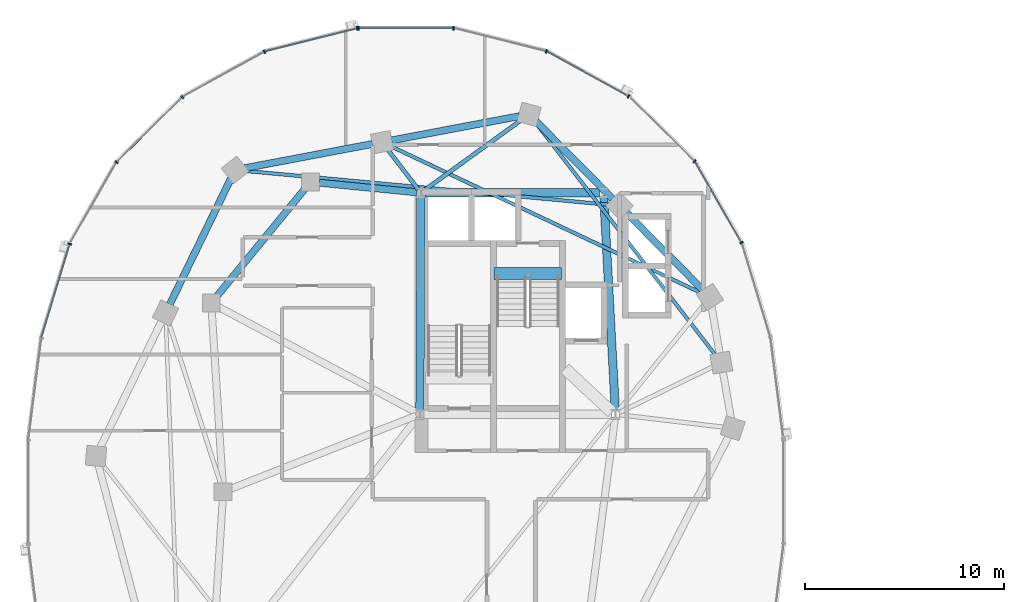
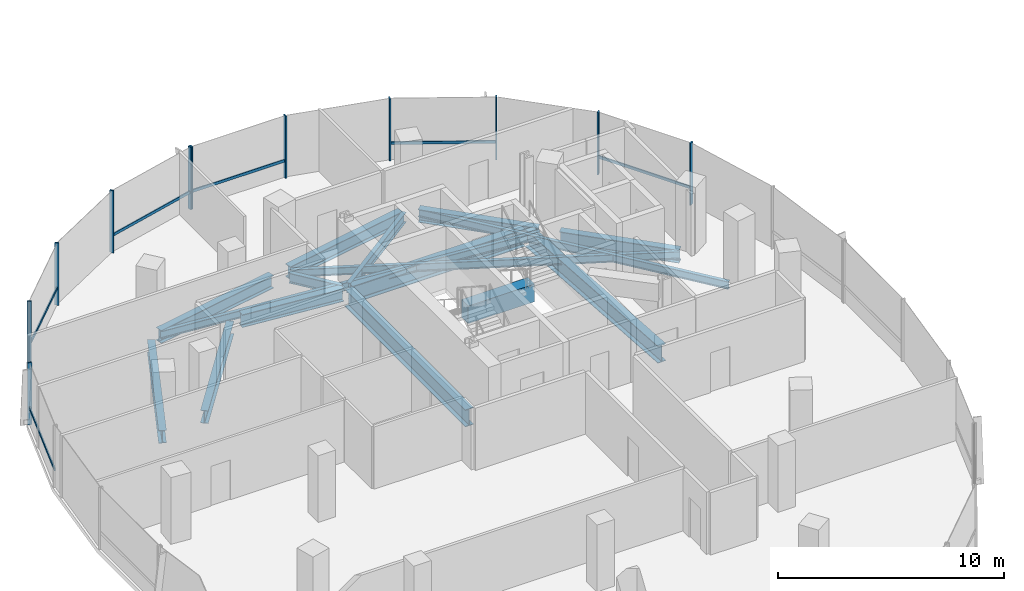
# One storey, part 5 of 22: 17 members, 16 beams, 2 elements without a shape of their own.
"""IFC4 building model written with IfcOpenShell, lengths in metres."""

from ifc_helpers import new_model, si_unit, direction, frame, origin, origin_2d, place, context, subcontext, project, spatial, rectangle, i_section, extrude, material, material_profile, profile_set, type_object, element, aggregate, save


model = new_model("IFC4")

# Units and contexts
model_context = context("Model", 3, precision=1e-05, world=origin(), true_north=direction((0.0, 1.0)))
body_context = subcontext(model_context, "Body", "Model", "MODEL_VIEW")
ifc_project = project(units=[si_unit("LENGTHUNIT", "METRE"), si_unit("AREAUNIT", "SQUARE_METRE"), si_unit("VOLUMEUNIT", "CUBIC_METRE"), si_unit("PLANEANGLEUNIT", "RADIAN"), si_unit("MASSUNIT", "GRAM", prefix="KILO"), si_unit("THERMODYNAMICTEMPERATUREUNIT", "KELVIN"), si_unit("POWERUNIT", "WATT")], contexts=[model_context])

# Site, building, storey
site_placement = place(None, origin())
site = spatial("IfcSite", under=ifc_project, at=site_placement, CompositionType="ELEMENT")
building_placement = place(site_placement, origin())
building = spatial("IfcBuilding", under=site, at=building_placement, Name="Cundina Bronze Exchange", CompositionType="ELEMENT")
storey_placement = place(building_placement, frame((0.0, 0.0, 154.800048828125)))
storey = spatial("IfcBuildingStorey", under=building, at=storey_placement, Name="L40", CompositionType="ELEMENT", Elevation=154.800048828125)

# Beams
ifc_material_1 = material(Name="Concrete C60/75", Category="concrete")
ifc_material_profile_1 = material_profile(ifc_material_1, rectangle(XDim=0.60009765625, YDim=0.949951171875, at=origin_2d()), Name="RC600X950", Category="concrete")
ifc_profile_set_1 = profile_set([ifc_material_profile_1], Name="Concrete C60/75")
beam_type_1 = type_object("IfcBeamType", Name="BM-COUP-RC950", PredefinedType="LINTEL", material=ifc_profile_set_1)
beam_1_placement = place(storey_placement, frame((-27.56005859375, 10.97998046875, -0.47509765625), z_axis=(1.0, 0.0, 0.0), x_axis=(0.0, 1.0, 0.0)))
element("IfcBeam", 1, at=beam_1_placement, inside=storey, type_object=beam_type_1, Name="L40 Stair W2 Landing Header Beam", PredefinedType="LINTEL", context=body_context, shape_type="SweptSolid", body=[
    extrude(rectangle(XDim=0.60009765625, YDim=0.949951171875, at=origin_2d()), origin(), (0.0, 0.0, 1.0), 3.400146484375),
])
ifc_material_2 = material(Name="Steel ASTM A992 Grade 50", Category="steel")
ifc_material_profile_2 = material_profile(ifc_material_2, i_section(OverallWidth=0.2119140625, OverallDepth=0.5439453125, WebThickness=0.01318359375, FlangeThickness=0.021240234375, FilletRadius=0.013916015625, at=origin_2d()), Name="W21X83", Category="steel")
ifc_profile_set_2 = profile_set([ifc_material_profile_2], Name="Steel ASTM A992 Grade 50")
beam_type_2 = type_object("IfcBeamType", Name="BM-FLR-W21A", PredefinedType="BEAM", material=ifc_profile_set_2)
beam_2_placement = place(storey_placement, frame((-31.084716796875, 15.169677734375, -0.511962890625), z_axis=(0.809693047063, 0.586853618492, 0.0), x_axis=(-0.586853618492, 0.809693047063, 0.0)))
element("IfcBeam", 2, at=beam_2_placement, inside=storey, type_object=beam_type_2, Name="L40 Leg W Radial Floor Beam 04", PredefinedType="BEAM", context=body_context, shape_type="SweptSolid", body=[
    extrude(i_section(OverallWidth=0.2119140625, OverallDepth=0.5439453125, WebThickness=0.01318359375, FlangeThickness=0.021240234375, FilletRadius=0.013916015625, at=origin_2d()), origin(), (0.0, 0.0, 1.0), 6.038818359375),
])
beam_3_placement = place(storey_placement, frame((-31.373779296875, 15.2119140625, -0.511962890625), z_axis=(-0.607450107571, 0.794357832977, 0.0), x_axis=(-0.794357832977, -0.607450107571, 0.0)))
element("IfcBeam", 3, at=beam_3_placement, inside=storey, type_object=beam_type_2, Name="L40 Leg W Radial Floor Beam 05", PredefinedType="BEAM", context=body_context, shape_type="SweptSolid", body=[
    extrude(i_section(OverallWidth=0.2119140625, OverallDepth=0.5439453125, WebThickness=0.01318359375, FlangeThickness=0.021240234375, FilletRadius=0.013916015625, at=origin_2d()), origin(), (0.0, 0.0, 1.0), 2.518310546875),
])
ifc_material_profile_3 = material_profile(ifc_material_2, i_section(OverallWidth=0.178955078125, OverallDepth=0.409912109375, WebThickness=0.0087890625, FlangeThickness=0.014404296875, FilletRadius=0.010986328125, at=origin_2d()), Name="W16X45", Category="steel")
ifc_profile_set_3 = profile_set([ifc_material_profile_3], Name="Steel ASTM A992 Grade 50")
beam_type_3 = type_object("IfcBeamType", Name="BM-JST-W16", PredefinedType="JOIST", material=ifc_profile_set_3)
beam_4_placement = place(storey_placement, frame((-16.423583984375, 6.885986328125, -0.445068359375), z_axis=(-0.61208354334, 0.790793105668, 0.0), x_axis=(-0.790793105668, -0.61208354334, 0.0)))
element("IfcBeam", 4, at=beam_4_placement, inside=storey, type_object=beam_type_3, Name="L40 Leg W Lobe Floor Joist 01-04", PredefinedType="JOIST", context=body_context, shape_type="SweptSolid", body=[
    extrude(i_section(OverallWidth=0.178955078125, OverallDepth=0.409912109375, WebThickness=0.0087890625, FlangeThickness=0.014404296875, FilletRadius=0.010986328125, at=origin_2d()), origin(), (0.0, 0.0, 1.0), 14.830810546875),
])
beam_5_placement = place(storey_placement, frame((-17.14111328125, 10.008544921875, -0.445068359375), z_axis=(-0.904074252188, 0.427375416385, 0.0), x_axis=(-0.427375416385, -0.904074252188, 0.0)))
element("IfcBeam", 5, at=beam_5_placement, inside=storey, type_object=beam_type_3, Name="L40 Leg W Lobe Floor Joist 02-05", PredefinedType="JOIST", context=body_context, shape_type="SweptSolid", body=[
    extrude(i_section(OverallWidth=0.178955078125, OverallDepth=0.409912109375, WebThickness=0.0087890625, FlangeThickness=0.014404296875, FilletRadius=0.010986328125, at=origin_2d()), origin(), (0.0, 0.0, 1.0), 17.274658203125),
])
beam_6_placement = place(storey_placement, frame((-21.73583984375, 14.4453125, -0.445068359375), z_axis=(-0.995701840093, 0.092616659595, 0.0), x_axis=(-0.092616659595, -0.995701840093, 0.0)))
element("IfcBeam", 6, at=beam_6_placement, inside=storey, type_object=beam_type_3, Name="L40 Leg W Lobe Floor Joist 03-06", PredefinedType="JOIST", context=body_context, shape_type="SweptSolid", body=[
    extrude(i_section(OverallWidth=0.178955078125, OverallDepth=0.409912109375, WebThickness=0.0087890625, FlangeThickness=0.014404296875, FilletRadius=0.010986328125, at=origin_2d()), origin(), (0.0, 0.0, 1.0), 18.45751953125),
])
ifc_material_profile_4 = material_profile(ifc_material_2, i_section(OverallWidth=0.35498046875, OverallDepth=0.695068359375, WebThickness=0.015380859375, FlangeThickness=0.02490234375, FilletRadius=0.01806640625, at=origin_2d()), Name="W27X146", Category="steel")
ifc_profile_set_4 = profile_set([ifc_material_profile_4], Name="Steel ASTM A992 Grade 50")
beam_type_4 = type_object("IfcBeamType", Name="BM-RING-W27", PredefinedType="USERDEFINED", material=ifc_profile_set_4)
beam_7_placement = place(storey_placement, frame((-31.452880859375, 15.070068359375, -0.587646484375), z_axis=(-0.995123020608, 0.098641643622, 0.0), x_axis=(-0.098641643622, -0.995123020608, 0.0)))
element("IfcBeam", 7, at=beam_7_placement, inside=storey, type_object=beam_type_4, Name="L40 W Inner Structural Ring Girder 01", ObjectType="GIRDER", PredefinedType="USERDEFINED", context=body_context, shape_type="SweptSolid", body=[
    extrude(i_section(OverallWidth=0.35498046875, OverallDepth=0.695068359375, WebThickness=0.015380859375, FlangeThickness=0.02490234375, FilletRadius=0.01806640625, at=origin_2d()), origin(), (0.0, 0.0, 1.0), 4.935302734375),
])
beam_8_placement = place(storey_placement, frame((-37.07763671875, 15.26123046875, -0.587646484375), z_axis=(-0.633912590175, -0.77340469873, 0.0), x_axis=(0.77340469873, -0.633912590175, 0.0)))
element("IfcBeam", 8, at=beam_8_placement, inside=storey, type_object=beam_type_4, Name="L40 W Inner Structural Ring Girder 02", ObjectType="GIRDER", PredefinedType="USERDEFINED", context=body_context, shape_type="SweptSolid", body=[
    extrude(i_section(OverallWidth=0.35498046875, OverallDepth=0.695068359375, WebThickness=0.015380859375, FlangeThickness=0.02490234375, FilletRadius=0.01806640625, at=origin_2d()), origin(), (0.0, 0.0, 1.0), 7.01123046875),
])
beam_9_placement = place(storey_placement, frame((-17.043212890625, 10.14697265625, -0.587646484375), z_axis=(-0.703230112979, 0.710962311378, 0.0), x_axis=(-0.710962311378, -0.703230112979, 0.0)))
element("IfcBeam", 9, at=beam_9_placement, inside=storey, type_object=beam_type_4, Name="L40 W Perimeter Ring Girder 02", ObjectType="GIRDER", PredefinedType="USERDEFINED", context=body_context, shape_type="SweptSolid", body=[
    extrude(i_section(OverallWidth=0.35498046875, OverallDepth=0.695068359375, WebThickness=0.015380859375, FlangeThickness=0.02490234375, FilletRadius=0.01806640625, at=origin_2d()), origin(), (0.0, 0.0, 1.0), 5.493896484375),
])
beam_10_placement = place(storey_placement, frame((-21.59326171875, 14.746826171875, -0.587646484375), z_axis=(-0.703207895705, 0.710984286337, 0.0), x_axis=(-0.710984286337, -0.703207895705, 0.0)))
element("IfcBeam", 10, at=beam_10_placement, inside=storey, type_object=beam_type_4, Name="L40 W Perimeter Ring Girder 03", ObjectType="GIRDER", PredefinedType="USERDEFINED", context=body_context, shape_type="SweptSolid", body=[
    extrude(i_section(OverallWidth=0.35498046875, OverallDepth=0.695068359375, WebThickness=0.015380859375, FlangeThickness=0.02490234375, FilletRadius=0.01806640625, at=origin_2d()), origin(), (0.0, 0.0, 1.0), 5.494140625),
])
beam_11_placement = place(storey_placement, frame((-26.279541015625, 18.9091796875, -0.587646484375), z_axis=(-0.982571532667, -0.185884865421, 0.0), x_axis=(0.185884865421, -0.982571532667, 0.0)))
element("IfcBeam", 11, at=beam_11_placement, inside=storey, type_object=beam_type_4, Name="L40 W Perimeter Ring Girder 04", ObjectType="GIRDER", PredefinedType="USERDEFINED", context=body_context, shape_type="SweptSolid", body=[
    extrude(i_section(OverallWidth=0.35498046875, OverallDepth=0.695068359375, WebThickness=0.015380859375, FlangeThickness=0.02490234375, FilletRadius=0.01806640625, at=origin_2d()), origin(), (0.0, 0.0, 1.0), 6.55517578125),
])
beam_12_placement = place(storey_placement, frame((-33.679443359375, 17.50927734375, -0.587646484375), z_axis=(-0.982572819495, -0.185878063226, 0.0), x_axis=(0.185878063226, -0.982572819495, 0.0)))
element("IfcBeam", 12, at=beam_12_placement, inside=storey, type_object=beam_type_4, Name="L40 W Perimeter Ring Girder 05", ObjectType="GIRDER", PredefinedType="USERDEFINED", context=body_context, shape_type="SweptSolid", body=[
    extrude(i_section(OverallWidth=0.35498046875, OverallDepth=0.695068359375, WebThickness=0.015380859375, FlangeThickness=0.02490234375, FilletRadius=0.01806640625, at=origin_2d()), origin(), (0.0, 0.0, 1.0), 6.555419921875),
])
beam_13_placement = place(storey_placement, frame((-40.8134765625, 15.760986328125, -0.587646484375), z_axis=(-0.437196998825, -0.89936576776, 0.0), x_axis=(0.89936576776, -0.437196998825, 0.0)))
element("IfcBeam", 13, at=beam_13_placement, inside=storey, type_object=beam_type_4, Name="L40 W Perimeter Ring Girder 06", ObjectType="GIRDER", PredefinedType="USERDEFINED", context=body_context, shape_type="SweptSolid", body=[
    extrude(i_section(OverallWidth=0.35498046875, OverallDepth=0.695068359375, WebThickness=0.015380859375, FlangeThickness=0.02490234375, FilletRadius=0.01806640625, at=origin_2d()), origin(), (0.0, 0.0, 1.0), 7.029541015625),
])
ifc_material_profile_5 = material_profile(ifc_material_2, i_section(OverallWidth=0.41796875, OverallDepth=0.927001953125, WebThickness=0.019287109375, FlangeThickness=0.031982421875, FilletRadius=0.02392578125, at=origin_2d()), Name="W36X231", Category="steel")
ifc_profile_set_5 = profile_set([ifc_material_profile_5], Name="Steel ASTM A992 Grade 50")
beam_type_5 = type_object("IfcBeamType", Name="BM-WRN-W36B", PredefinedType="USERDEFINED", material=ifc_profile_set_5)
beam_14_placement = place(storey_placement, frame((-21.4609375, 4.103759765625, -0.70361328125), z_axis=(-0.053739193498, 0.998555005537, 0.0), x_axis=(-0.998555005537, -0.053739193498, 0.0)))
element("IfcBeam", 14, at=beam_14_placement, inside=storey, type_object=beam_type_5, Name="L40 W Core Perimeter Tie Girder 2", ObjectType="GIRDER", PredefinedType="USERDEFINED", context=body_context, shape_type="SweptSolid", body=[
    extrude(i_section(OverallWidth=0.41796875, OverallDepth=0.927001953125, WebThickness=0.019287109375, FlangeThickness=0.031982421875, FilletRadius=0.02392578125, at=origin_2d()), origin(), (0.0, 0.0, 1.0), 10.758056640625),
])
beam_15_placement = place(storey_placement, frame((-22.25390625, 15.050048828125, -0.70361328125), z_axis=(-1.0, 0.0, 0.0), x_axis=(0.0, -1.0, 0.0)))
element("IfcBeam", 15, at=beam_15_placement, inside=storey, type_object=beam_type_5, Name="L40 W Core Perimeter Tie Girder 3", ObjectType="GIRDER", PredefinedType="USERDEFINED", context=body_context, shape_type="SweptSolid", body=[
    extrude(i_section(OverallWidth=0.41796875, OverallDepth=0.927001953125, WebThickness=0.019287109375, FlangeThickness=0.031982421875, FilletRadius=0.02392578125, at=origin_2d()), origin(), (0.0, 0.0, 1.0), 8.7919921875),
])
beam_16_placement = place(storey_placement, frame((-31.2509765625, 14.845947265625, -0.70361328125), z_axis=(-0.004477329608, -0.99998997671, 0.0), x_axis=(0.99998997671, -0.004477329608, 0.0)))
element("IfcBeam", 16, at=beam_16_placement, inside=storey, type_object=beam_type_5, Name="L40 W Core Perimeter Tie Girder 4", ObjectType="GIRDER", PredefinedType="USERDEFINED", context=body_context, shape_type="SweptSolid", body=[
    extrude(i_section(OverallWidth=0.41796875, OverallDepth=0.927001953125, WebThickness=0.019287109375, FlangeThickness=0.031982421875, FilletRadius=0.02392578125, at=origin_2d()), origin(), (0.0, 0.0, 1.0), 10.741943359375),
])

# Curtain wall, members
ifc_material_3 = material(Name="Anodised Bronze Aluminium 6063-T6", Category="aluminium")
curtain_wall_type = type_object("IfcCurtainWallType", Name="CWS-WST-PIN", PredefinedType="NOTDEFINED", material=ifc_material_3)
curtain_wall_1_placement = place(storey_placement, origin())
curtain_wall_1 = element("IfcCurtainWall", 17, at=curtain_wall_1_placement, inside=storey, type_object=curtain_wall_type, Name="L40 CW-04 Curtain Wall Run CWR-L40-W1", PredefinedType="NOTDEFINED")
ifc_material_profile_6 = material_profile(ifc_material_3, rectangle(XDim=0.070068359375, YDim=0.18994140625, at=origin_2d()), Name="AL70X190", Category="aluminium")
ifc_profile_set_6 = profile_set([ifc_material_profile_6], Name="Anodised Bronze Aluminium 6063-T6")
member_type_1 = type_object("IfcMemberType", Name="CWM-MUL-190", PredefinedType="MULLION", material=ifc_profile_set_6)
member_1_placement = place(storey_placement, frame((-15.10205078125, 12.541259765625, 0.0), z_axis=(0.0, 0.0, 1.0), x_axis=(-0.498487739754, 0.866896748936, 0.0)))
member_1 = element("IfcMember", 18, at=member_1_placement, type_object=member_type_1, Name="CW-04 Mullion 3", PredefinedType="MULLION", context=body_context, shape_type="SweptSolid", body=[
    extrude(rectangle(XDim=0.070068359375, YDim=0.18994140625, at=origin_2d()), origin(), (0.0, 0.0, 1.0), 3.35986328125),
])
member_2_placement = place(storey_placement, frame((-17.469482421875, 16.640380859375, 0.0), z_axis=(0.0, 0.0, 1.0), x_axis=(-0.712026045991, 0.702153052995, 0.0)))
member_2 = element("IfcMember", 19, at=member_2_placement, type_object=member_type_1, Name="CW-04 Mullion 4", PredefinedType="MULLION", context=body_context, shape_type="SweptSolid", body=[
    extrude(rectangle(XDim=0.070068359375, YDim=0.18994140625, at=origin_2d()), origin(), (0.0, 0.0, 1.0), 3.35986328125),
])
member_3_placement = place(storey_placement, frame((-20.79345703125, 19.906005859375, 0.0), z_axis=(0.0, 0.0, 1.0), x_axis=(-0.875885937035, 0.482518212408, 0.0)))
member_3 = element("IfcMember", 20, at=member_3_placement, type_object=member_type_1, Name="CW-04 Mullion 5", PredefinedType="MULLION", context=body_context, shape_type="SweptSolid", body=[
    extrude(rectangle(XDim=0.070068359375, YDim=0.18994140625, at=origin_2d()), origin(), (0.0, 0.0, 1.0), 3.35986328125),
])
member_4_placement = place(storey_placement, frame((-24.932373046875, 22.17626953125, 0.0), z_axis=(0.0, 0.0, 1.0), x_axis=(-0.970084240161, 0.242768546132, 0.0)))
member_4 = element("IfcMember", 21, at=member_4_placement, type_object=member_type_1, Name="CW-04 Mullion 6", PredefinedType="MULLION", context=body_context, shape_type="SweptSolid", body=[
    extrude(rectangle(XDim=0.070068359375, YDim=0.18994140625, at=origin_2d()), origin(), (0.0, 0.0, 1.0), 3.35986328125),
])
member_5_placement = place(storey_placement, frame((-29.60595703125, 23.3369140625, 0.0), z_axis=(0.0, 0.0, 1.0), x_axis=(-1.0, 0.0, 0.0)))
member_5 = element("IfcMember", 22, at=member_5_placement, type_object=member_type_1, Name="CW-04 Mullion 7", PredefinedType="MULLION", context=body_context, shape_type="SweptSolid", body=[
    extrude(rectangle(XDim=0.070068359375, YDim=0.18994140625, at=origin_2d()), origin(), (0.0, 0.0, 1.0), 3.35986328125),
])
member_6_placement = place(storey_placement, frame((-34.39404296875, 23.3369140625, 0.0), z_axis=(0.0, 0.0, 1.0), x_axis=(-1.0, 0.0, 0.0)))
member_6 = element("IfcMember", 23, at=member_6_placement, type_object=member_type_1, Name="CW-04 End Mullion", PredefinedType="MULLION", context=body_context, shape_type="SweptSolid", body=[
    extrude(rectangle(XDim=0.070068359375, YDim=0.18994140625, at=origin_2d()), origin(), (0.0, 0.0, 1.0), 3.35986328125),
])

curtain_wall_2_placement = place(storey_placement, origin())
curtain_wall_2 = element("IfcCurtainWall", 24, at=curtain_wall_2_placement, inside=storey, type_object=curtain_wall_type, Name="L40 CW-04 Curtain Wall Run CWR-L40-W2", PredefinedType="NOTDEFINED")
member_7_placement = place(storey_placement, frame((-34.462646484375, 23.32861328125, 0.0), z_axis=(0.0, 0.0, 1.0), x_axis=(-0.970084240161, -0.242768546132, 0.0)))
member_7 = element("IfcMember", 25, at=member_7_placement, type_object=member_type_1, Name="CW-04 Mullion 1", PredefinedType="MULLION", context=body_context, shape_type="SweptSolid", body=[
    extrude(rectangle(XDim=0.070068359375, YDim=0.18994140625, at=origin_2d()), origin(), (0.0, 0.0, 1.0), 3.35986328125),
])
member_8_placement = place(storey_placement, frame((-39.13037109375, 22.151611328125, 0.0), z_axis=(0.0, 0.0, 1.0), x_axis=(-0.875885937035, -0.482518212408, 0.0)))
member_8 = element("IfcMember", 26, at=member_8_placement, type_object=member_type_1, Name="CW-04 Mullion 2", PredefinedType="MULLION", context=body_context, shape_type="SweptSolid", body=[
    extrude(rectangle(XDim=0.070068359375, YDim=0.18994140625, at=origin_2d()), origin(), (0.0, 0.0, 1.0), 3.35986328125),
])
member_9_placement = place(storey_placement, frame((-43.259033203125, 19.86669921875, 0.0), z_axis=(0.0, 0.0, 1.0), x_axis=(-0.712026045991, -0.702153052995, 0.0)))
member_9 = element("IfcMember", 27, at=member_9_placement, type_object=member_type_1, Name="CW-04 Mullion 3", PredefinedType="MULLION", context=body_context, shape_type="SweptSolid", body=[
    extrude(rectangle(XDim=0.070068359375, YDim=0.18994140625, at=origin_2d()), origin(), (0.0, 0.0, 1.0), 3.35986328125),
])
member_10_placement = place(storey_placement, frame((-46.57080078125, 16.588134765625, 0.0), z_axis=(0.0, 0.0, 1.0), x_axis=(-0.498487739754, -0.866896748936, 0.0)))
member_10 = element("IfcMember", 28, at=member_10_placement, type_object=member_type_1, Name="CW-04 Mullion 4", PredefinedType="MULLION", context=body_context, shape_type="SweptSolid", body=[
    extrude(rectangle(XDim=0.070068359375, YDim=0.18994140625, at=origin_2d()), origin(), (0.0, 0.0, 1.0), 3.35986328125),
])
member_11_placement = place(storey_placement, frame((-48.92626953125, 12.4755859375, 0.0), z_axis=(0.0, 0.0, 1.0), x_axis=(-0.290034140915, -0.957016299288, 0.0)))
member_11 = element("IfcMember", 29, at=member_11_placement, type_object=member_type_1, Name="CW-04 Mullion 5", PredefinedType="MULLION", context=body_context, shape_type="SweptSolid", body=[
    extrude(rectangle(XDim=0.070068359375, YDim=0.18994140625, at=origin_2d()), origin(), (0.0, 0.0, 1.0), 3.35986328125),
])

# Member
ifc_material_profile_7 = material_profile(ifc_material_3, rectangle(XDim=0.06494140625, YDim=0.14990234375, at=origin_2d()), Name="AL65X150", Category="aluminium")
ifc_profile_set_7 = profile_set([ifc_material_profile_7], Name="Anodised Bronze Aluminium 6063-T6")
member_type_2 = type_object("IfcMemberType", Name="CWM-TRN-150", PredefinedType="USERDEFINED", material=ifc_profile_set_7)
member_12_placement = place(storey_placement, frame((-15.121337890625, 12.574462890625, 0.919921875), z_axis=(-0.498479967047, 0.866901218394, 0.0), x_axis=(-0.866901218394, -0.498479967047, 0.0)))
member_12 = element("IfcMember", 30, at=member_12_placement, type_object=member_type_2, Name="CW-04 Spandrel Transom 3", ObjectType="TRANSOM", PredefinedType="USERDEFINED", context=body_context, shape_type="SweptSolid", body=[
    extrude(rectangle(XDim=0.06494140625, YDim=0.14990234375, at=origin_2d()), origin(), (0.0, 0.0, 1.0), 4.66845703125),
])

member_13_placement = place(storey_placement, frame((-20.8271484375, 19.924560546875, 0.919921875), z_axis=(-0.875878981549, 0.482530838062, 0.0), x_axis=(-0.482530838062, -0.875878981549, 0.0)))
member_13 = element("IfcMember", 31, at=member_13_placement, type_object=member_type_2, Name="CW-04 Spandrel Transom 5", ObjectType="TRANSOM", PredefinedType="USERDEFINED", context=body_context, shape_type="SweptSolid", body=[
    extrude(rectangle(XDim=0.06494140625, YDim=0.14990234375, at=origin_2d()), origin(), (0.0, 0.0, 1.0), 4.65380859375),
])

member_14_placement = place(storey_placement, frame((-29.64453125, 23.3369140625, 0.919921875), z_axis=(-1.0, 0.0, 0.0), x_axis=(0.0, -1.0, 0.0)))
member_14 = element("IfcMember", 32, at=member_14_placement, type_object=member_type_2, Name="CW-04 Spandrel Transom 7", ObjectType="TRANSOM", PredefinedType="USERDEFINED", context=body_context, shape_type="SweptSolid", body=[
    extrude(rectangle(XDim=0.06494140625, YDim=0.14990234375, at=origin_2d()), origin(), (0.0, 0.0, 1.0), 4.7109375),
])

aggregate(curtain_wall_1, [member_1, member_12, member_2, member_3, member_13, member_4, member_5, member_6, member_14])

member_15_placement = place(storey_placement, frame((-34.5, 23.319091796875, 0.919921875), z_axis=(-0.970100130035, -0.242705042606, 0.0), x_axis=(0.242705042606, -0.970100130035, 0.0)))
member_15 = element("IfcMember", 33, at=member_15_placement, type_object=member_type_2, Name="CW-04 Spandrel Transom 1", ObjectType="TRANSOM", PredefinedType="USERDEFINED", context=body_context, shape_type="SweptSolid", body=[
    extrude(rectangle(XDim=0.06494140625, YDim=0.14990234375, at=origin_2d()), origin(), (0.0, 0.0, 1.0), 4.746826171875),
])

member_16_placement = place(storey_placement, frame((-43.28662109375, 19.839599609375, 0.919921875), z_axis=(-0.712005023839, -0.702174370102, 0.0), x_axis=(0.702174370102, -0.712005023839, 0.0)))
member_16 = element("IfcMember", 34, at=member_16_placement, type_object=member_type_2, Name="CW-04 Spandrel Transom 3", ObjectType="TRANSOM", PredefinedType="USERDEFINED", context=body_context, shape_type="SweptSolid", body=[
    extrude(rectangle(XDim=0.06494140625, YDim=0.14990234375, at=origin_2d()), origin(), (0.0, 0.0, 1.0), 4.594482421875),
])

member_17_placement = place(storey_placement, frame((-48.937255859375, 12.43896484375, 0.919921875), z_axis=(-0.290051855969, -0.957010930371, 0.0), x_axis=(0.957010930371, -0.290051855969, 0.0)))
member_17 = element("IfcMember", 35, at=member_17_placement, type_object=member_type_2, Name="CW-04 Spandrel Transom 5", ObjectType="TRANSOM", PredefinedType="USERDEFINED", context=body_context, shape_type="SweptSolid", body=[
    extrude(rectangle(XDim=0.06494140625, YDim=0.14990234375, at=origin_2d()), origin(), (0.0, 0.0, 1.0), 4.876953125),
])

aggregate(curtain_wall_2, [member_7, member_15, member_8, member_9, member_16, member_10, member_11, member_17])

save(model, "model.ifc")
